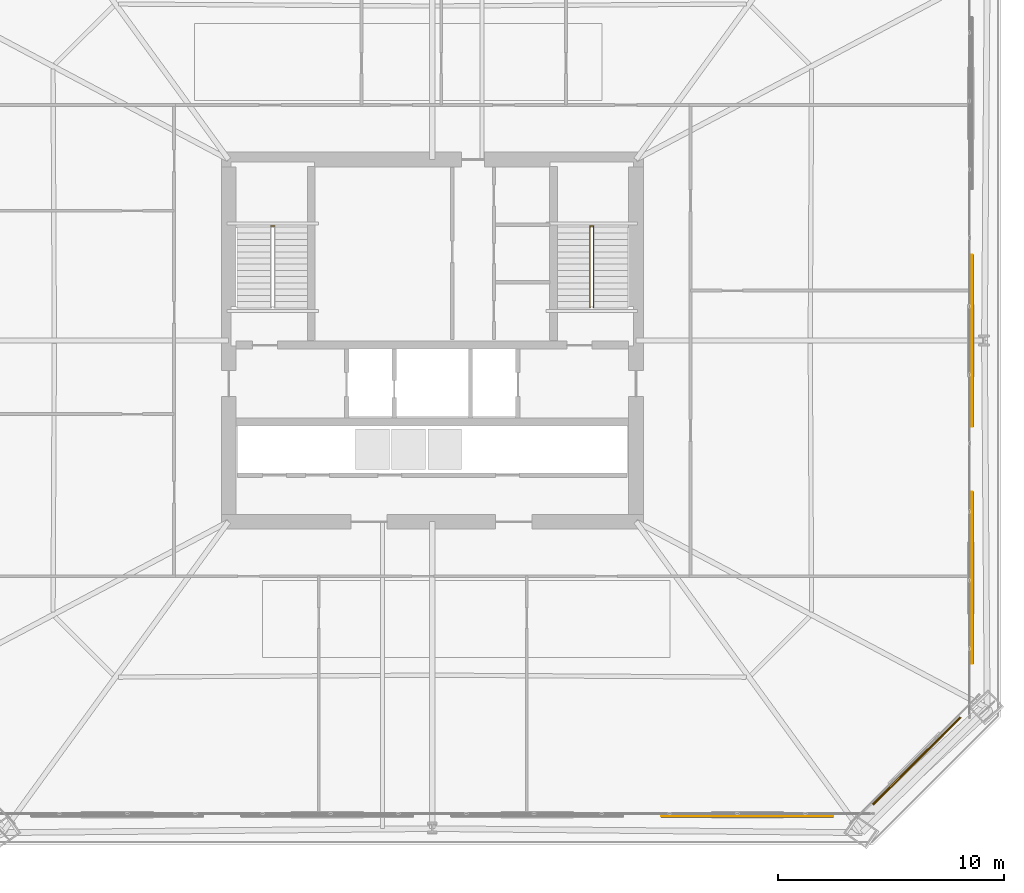
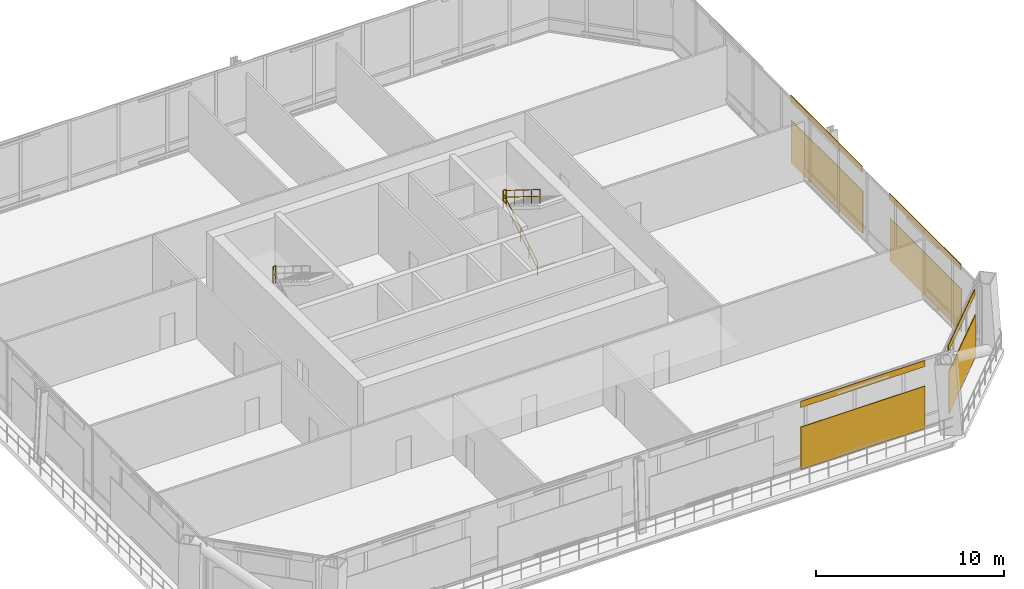
# One storey, part 46 of 48: 4 coverings, 4 railings, 4 shading devices.
"""IFC4 building model written with IfcOpenShell, lengths in metres."""

from ifc_helpers import new_model, si_unit, direction, frame, origin, origin_2d, place, context, subcontext, project, spatial, rectangle, circle, extrude, material, layer, layer_set, type_object, element, save


model = new_model("IFC4")

# Units and contexts
model_context = context("Model", 3, precision=1e-05, world=origin(), true_north=direction((0.0, 1.0)))
body_context = subcontext(model_context, "Body", "Model", "MODEL_VIEW")
ifc_project = project(units=[si_unit("LENGTHUNIT", "METRE"), si_unit("AREAUNIT", "SQUARE_METRE"), si_unit("VOLUMEUNIT", "CUBIC_METRE"), si_unit("PLANEANGLEUNIT", "RADIAN"), si_unit("MASSUNIT", "GRAM", prefix="KILO")], contexts=[model_context])

# Site, building, storey
site_placement = place(None, origin())
site = spatial("IfcSite", under=ifc_project, at=site_placement, CompositionType="ELEMENT")
building_placement = place(site_placement, origin())
building = spatial("IfcBuilding", under=site, at=building_placement, Name="Caelvoria Tower", CompositionType="ELEMENT")
storey_placement = place(building_placement, frame((0.0, 0.0, 90.39990234375)))
storey = spatial("IfcBuildingStorey", under=building, at=storey_placement, Name="L23", CompositionType="ELEMENT", Elevation=90.39990234375)

# Coverings
ifc_material_1 = material(Name="Perforated Architectural Bronze Cladding Screen", Category="bronze")
ifc_layer_1 = layer(ifc_material_1, 0.0400390625, Name="Perforated Architectural Bronze Cladding Screen")
ifc_layer_set_1 = layer_set([ifc_layer_1], Name="Perforated Bronze Louvre Cladding Band 40 - Perforated Architectural Bronze Cladding Screen")
covering_type = type_object("IfcCoveringType", Name="Perforated Bronze Louvre Cladding Band 40", PredefinedType="CLADDING", material=ifc_layer_set_1)
covering_1_placement = place(storey_placement, frame((59.925048828125, 10.99462890625, 4.14013671875), z_axis=(0.0, 0.0, 1.0), x_axis=(1.0, 0.0, 0.0)))
element("IfcCovering", 1, at=covering_1_placement, inside=storey, type_object=covering_type, Name="Perforated Bronze Screen Band L23-E0-03", PredefinedType="CLADDING", context=body_context, shape_type="SweptSolid", body=[
    extrude(rectangle(XDim=7.60009765625, YDim=0.0400390625, at=origin_2d()), origin(), (0.0, 0.0, 1.0), 0.39990234375),
])
covering_2_placement = place(storey_placement, frame((67.387939453125, 13.4453125, 4.14013671875), z_axis=(0.0, 0.0, 1.0), x_axis=(0.707106781187, 0.707106781187, 0.0)))
element("IfcCovering", 2, at=covering_2_placement, inside=storey, type_object=covering_type, Name="Perforated Bronze Screen Band L23-E1-00", PredefinedType="CLADDING", context=body_context, shape_type="SweptSolid", body=[
    extrude(rectangle(XDim=5.447509765625, YDim=0.0400390625, at=origin_2d()), origin(), (0.0, 0.0, 1.0), 0.39990234375),
])
for number, where, z_axis, x_axis, name in (
    (3, (69.838623046875, 21.510986328125, 4.14013671875), (0.0, 0.0, 1.0), (0.0, 1.0, 0.0), "Perforated Bronze Screen Band L23-E2-00"),
    (4, (69.838623046875, 32.0, 4.14013671875), (0.0, 0.0, 1.0), (0.0, 1.0, 0.0), "Perforated Bronze Screen Band L23-E2-01"),
):
    element("IfcCovering", number, at=place(storey_placement, frame(where, z_axis=z_axis, x_axis=x_axis)), inside=storey, type_object=covering_type, Name=name, PredefinedType="CLADDING", context=body_context, shape_type="SweptSolid", body=[
        extrude(rectangle(XDim=7.60009765625, YDim=0.0400390625, at=origin_2d()), origin(), (0.0, 0.0, 1.0), 0.39990234375),
    ])

# Shading devices
ifc_material_2 = material(Name="Perforated Architectural Bronze Alloy Panel", Category="bronze")
ifc_layer_2 = layer(ifc_material_2, 0.044921875, Name="Perforated Architectural Bronze Alloy Panel")
ifc_layer_set_2 = layer_set([ifc_layer_2], Name="Perforated Bronze Solar Screen Panel SCREEN - Perforated Architectural Bronze Alloy Panel")
shading_device_type = type_object("IfcShadingDeviceType", Name="Perforated Bronze Solar Screen Panel SCREEN", PredefinedType="USERDEFINED", material=ifc_layer_set_2)
shading_device_1_placement = place(storey_placement, frame((59.925048828125, 10.95166015625, 0.16015625), z_axis=(0.0, 0.0, 1.0), x_axis=(1.0, 0.0, 0.0)))
element("IfcShadingDevice", 5, at=shading_device_1_placement, inside=storey, type_object=shading_device_type, Name="Perforated Bronze Solar Screen L23-E0-03", ObjectType="SCREEN", PredefinedType="USERDEFINED", context=body_context, shape_type="SweptSolid", body=[
    extrude(rectangle(XDim=7.60009765625, YDim=0.044921875, at=origin_2d()), origin(), (0.0, 0.0, 1.0), 2.75),
])
shading_device_2_placement = place(storey_placement, frame((67.41845703125, 13.4150390625, 0.16015625), z_axis=(0.0, 0.0, 1.0), x_axis=(0.707106781187, 0.707106781187, 0.0)))
element("IfcShadingDevice", 6, at=shading_device_2_placement, inside=storey, type_object=shading_device_type, Name="Perforated Bronze Solar Screen L23-E1-00", ObjectType="SCREEN", PredefinedType="USERDEFINED", context=body_context, shape_type="SweptSolid", body=[
    extrude(rectangle(XDim=5.447509765625, YDim=0.044921875, at=origin_2d()), origin(), (0.0, 0.0, 1.0), 2.75),
])
for number, where, z_axis, x_axis, name in (
    (7, (69.881591796875, 21.510986328125, 0.16015625), (0.0, 0.0, 1.0), (0.0, 1.0, 0.0), "Perforated Bronze Solar Screen L23-E2-00"),
    (8, (69.881591796875, 32.0, 0.16015625), (0.0, 0.0, 1.0), (0.0, 1.0, 0.0), "Perforated Bronze Solar Screen L23-E2-01"),
):
    element("IfcShadingDevice", number, at=place(storey_placement, frame(where, z_axis=z_axis, x_axis=x_axis)), inside=storey, type_object=shading_device_type, Name=name, ObjectType="SCREEN", PredefinedType="USERDEFINED", context=body_context, shape_type="SweptSolid", body=[
        extrude(rectangle(XDim=7.60009765625, YDim=0.044921875, at=origin_2d()), origin(), (0.0, 0.0, 1.0), 2.75),
    ])

# Railings
ifc_material_3 = material(Name="Brushed Stainless Steel Tube", Category="steel")
railing_type_1 = type_object("IfcRailingType", Name="Stair Tubular Stainless Handrail 920", PredefinedType="HANDRAIL", material=ifc_material_3)
railing_1_placement = place(storey_placement, frame((52.969970703125, 33.449951171875, 0.17138671875)))
element("IfcRailing", 9, at=railing_1_placement, inside=storey, type_object=railing_type_1, Name="ST-02 Flight 1 Handrail L23", PredefinedType="HANDRAIL", context=body_context, shape_type="SweptSolid", body=[
    extrude(circle(Radius=0.02392578125, at=origin_2d()), frame((0.0, 0.0, 0.89599609375), z_axis=(0.0, 0.848593568547, 0.529045324542), x_axis=(-1.0, 0.0, 0.0)), (0.0, 0.0, 1.0), 4.212890625),
    extrude(circle(Radius=0.02392578125, at=origin_2d()), frame((0.0, 0.0, 0.4599609375), z_axis=(0.0, 0.848593568547, 0.529045324542), x_axis=(-1.0, 0.0, 0.0)), (0.0, 0.0, 1.0), 4.212890625),
    extrude(circle(Radius=0.02099609375, at=origin_2d()), origin(), (0.0, 0.0, 1.0), 0.871826171875),
    extrude(circle(Radius=0.02099609375, at=origin_2d()), frame((0.0, 0.893798828125, 0.55712890625)), (0.0, 0.0, 1.0), 0.871826171875),
    extrude(circle(Radius=0.02099609375, at=origin_2d()), frame((0.0, 1.78759765625, 1.1142578125)), (0.0, 0.0, 1.0), 0.871826171875),
    extrude(circle(Radius=0.02099609375, at=origin_2d()), frame((0.0, 2.68115234375, 1.671630859375)), (0.0, 0.0, 1.0), 0.871826171875),
    extrude(circle(Radius=0.02099609375, at=origin_2d()), frame((0.0, 3.574951171875, 2.228759765625)), (0.0, 0.0, 1.0), 0.871826171875),
])
railing_2_placement = place(storey_placement, frame((53.1298828125, 37.02490234375, 2.571533203125)))
element("IfcRailing", 10, at=railing_2_placement, inside=storey, type_object=railing_type_1, Name="ST-02 Flight 2 Handrail L23", PredefinedType="HANDRAIL", context=body_context, shape_type="SweptSolid", body=[
    extrude(circle(Radius=0.02392578125, at=origin_2d()), frame((0.0, 0.0, 0.89599609375), z_axis=(0.0, -0.848619585623, 0.529003590628), x_axis=(1.0, 0.0, 0.0)), (0.0, 0.0, 1.0), 4.212646484375),
    extrude(circle(Radius=0.02392578125, at=origin_2d()), frame((0.0, 0.0, 0.4599609375), z_axis=(0.0, -0.848619585623, 0.529003590628), x_axis=(1.0, 0.0, 0.0)), (0.0, 0.0, 1.0), 4.212646484375),
    extrude(circle(Radius=0.02099609375, at=origin_2d()), origin(), (0.0, 0.0, 1.0), 0.871826171875),
    extrude(circle(Radius=0.02099609375, at=origin_2d()), frame((0.0, -0.893798828125, 0.55712890625)), (0.0, 0.0, 1.0), 0.871826171875),
    extrude(circle(Radius=0.02099609375, at=origin_2d()), frame((0.0, -1.78759765625, 1.1142578125)), (0.0, 0.0, 1.0), 0.871826171875),
    extrude(circle(Radius=0.02099609375, at=origin_2d()), frame((0.0, -2.68115234375, 1.67138671875)), (0.0, 0.0, 1.0), 0.871826171875),
    extrude(circle(Radius=0.02099609375, at=origin_2d()), frame((0.0, -3.574951171875, 2.228515625)), (0.0, 0.0, 1.0), 0.871826171875),
])
ifc_material_4 = material(Name="Brushed Stainless Steel Guardrail", Category="steel")
railing_type_2 = type_object("IfcRailingType", Name="Stair Well and Ramp Guardrail 1120", PredefinedType="GUARDRAIL", material=ifc_material_4)
for number, where, name in (
    (11, (38.8701171875, 37.06494140625, 2.400146484375), "ST-01 Half-Landing Well Guard L23"),
    (12, (52.969970703125, 37.06494140625, 2.400146484375), "ST-02 Half-Landing Well Guard L23"),
):
    element("IfcRailing", number, at=place(storey_placement, frame(where)), inside=storey, type_object=railing_type_2, Name=name, PredefinedType="GUARDRAIL", context=body_context, shape_type="SweptSolid", body=[
        extrude(circle(Radius=0.02392578125, at=origin_2d()), frame((0.0, 0.0, 1.09619140625), z_axis=(1.0, 0.0, 0.0), x_axis=(0.0, 1.0, 0.0)), (0.0, 0.0, 1.0), 0.159912109375),
        extrude(circle(Radius=0.02392578125, at=origin_2d()), frame((0.0, 0.0, 0.56005859375), z_axis=(1.0, 0.0, 0.0), x_axis=(0.0, 1.0, 0.0)), (0.0, 0.0, 1.0), 0.159912109375),
        extrude(circle(Radius=0.02099609375, at=origin_2d()), origin(), (0.0, 0.0, 1.0), 1.072021484375),
        extrude(circle(Radius=0.02099609375, at=origin_2d()), frame((0.159912109375, 0.0, 0.0)), (0.0, 0.0, 1.0), 1.072021484375),
    ])

save(model, "model.ifc")
